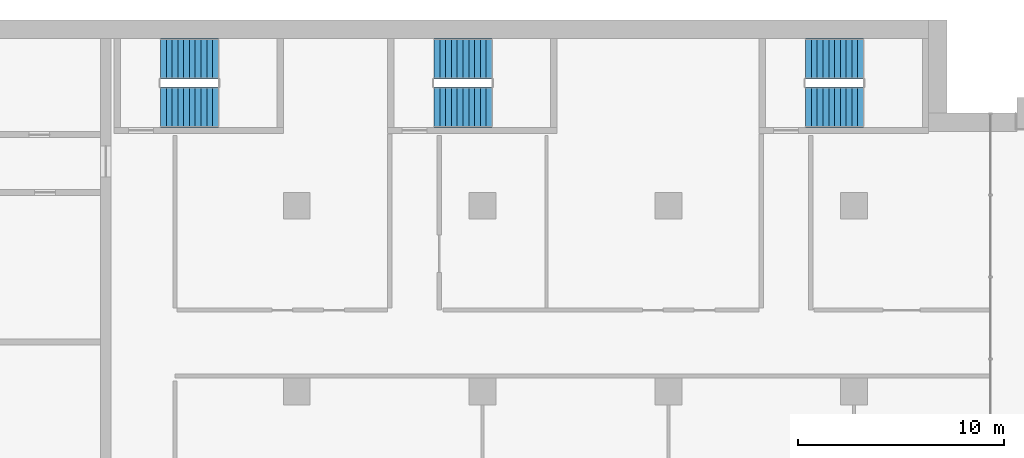
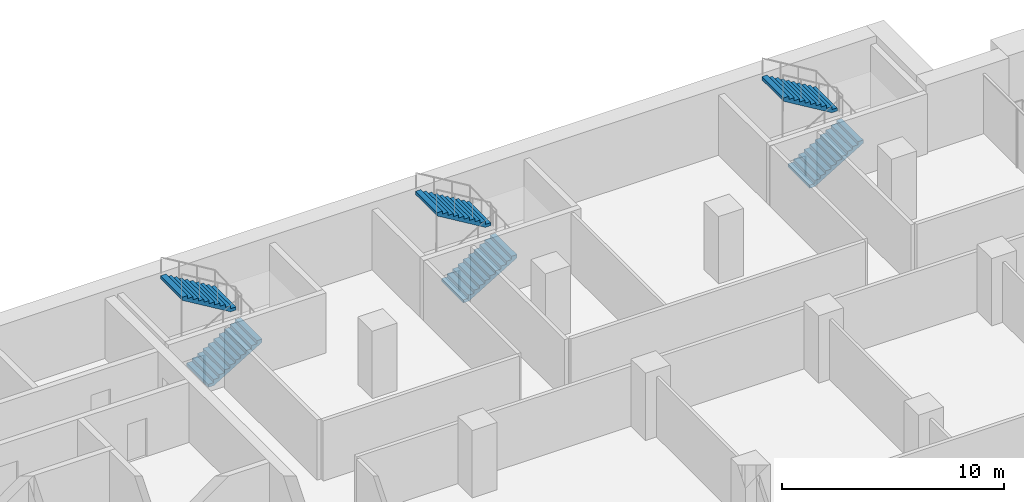
# One storey, part 17 of 22: 6 stair flights, 3 elements without a shape of their own.
"""IFC4 building model written with IfcOpenShell, lengths in metres."""

from ifc_helpers import new_model, si_unit, direction, frame, origin, place, context, subcontext, project, spatial, polyline, outline, extrude, material, type_object, element, aggregate, save


model = new_model("IFC4")

# Units and contexts
model_context = context("Model", 3, precision=1e-05, world=origin(), true_north=direction((0.0, 1.0)))
body_context = subcontext(model_context, "Body", "Model", "MODEL_VIEW")
ifc_project = project(units=[si_unit("LENGTHUNIT", "METRE"), si_unit("AREAUNIT", "SQUARE_METRE"), si_unit("VOLUMEUNIT", "CUBIC_METRE"), si_unit("PLANEANGLEUNIT", "RADIAN"), si_unit("MASSUNIT", "GRAM", prefix="KILO")], contexts=[model_context])

# Site, building, storey
site_placement = place(None, origin())
site = spatial("IfcSite", under=ifc_project, at=site_placement, CompositionType="ELEMENT")
building_placement = place(site_placement, origin())
building = spatial("IfcBuilding", under=site, at=building_placement, Name="Hunhe Ridgeline Campus", CompositionType="ELEMENT")
storey_placement = place(building_placement, frame((0.0, 0.0, 114.39990234375)))
storey = spatial("IfcBuildingStorey", under=building, at=storey_placement, Name="L28", CompositionType="ELEMENT", Elevation=114.39990234375)

# Stair, stair flights
ifc_material = material(Name="Concrete C40", Category="concrete")
stair_type = type_object("IfcStairType", Name="Reinforced concrete dog-leg stair 1950 Concrete C40", PredefinedType="HALF_TURN_STAIR", material=ifc_material)
stair_1_placement = place(storey_placement, origin())
stair_1 = element("IfcStair", 1, at=stair_1_placement, inside=storey, type_object=stair_type, Name="L28 E1", PredefinedType="HALF_TURN_STAIR")
stair_flight_type = type_object("IfcStairFlightType", Name="Reinforced concrete stair flight 1950 Concrete C40", PredefinedType="STRAIGHT", material=ifc_material)
stair_flight_1_placement = place(storey_placement, frame((38.39990234375, 94.77490234375, 0.0), z_axis=(0.0, 0.0, 1.0), x_axis=(1.0, 0.0, 0.0)))
stair_flight_1 = element("IfcStairFlight", 2, at=stair_flight_1_placement, type_object=stair_flight_type, Name="ST5 flight 1", NumberOfRisers=11, NumberOfTreads=10, PredefinedType="STRAIGHT", RiserHeight=0.168181818, TreadLength=0.28, context=body_context, shape_type="SweptSolid", body=[
    extrude(outline(polyline([(0.0, 0.0), (0.0, 0.168212890625), (0.280029296875, 0.168212890625), (0.280029296875, 0.33642578125), (0.56005859375, 0.33642578125), (0.56005859375, 0.504638671875), (0.840087890625, 0.504638671875), (0.840087890625, 0.672607421875), (1.1201171875, 0.672607421875), (1.1201171875, 0.8408203125), (1.39990234375, 0.8408203125), (1.39990234375, 1.009033203125), (1.679931640625, 1.009033203125), (1.679931640625, 1.17724609375), (1.9599609375, 1.17724609375), (1.9599609375, 1.345458984375), (2.239990234375, 1.345458984375), (2.239990234375, 1.513671875), (2.52001953125, 1.513671875), (2.52001953125, 1.681884765625), (2.800048828125, 1.681884765625), (2.800048828125, 1.85009765625), (2.800048828125, 1.5068359375), (0.291015625, 0.0), (0.0, 0.0)])), frame((0.0, 0.97509765625, 0.0), z_axis=(0.0, -1.0, 0.0), x_axis=(1.0, 0.0, 0.0)), (0.0, 0.0, 1.0), 1.949951171875),
    extrude(outline(polyline([(0.030029296875, 0.030029296875), (0.030029296875, 0.13818359375), (0.31005859375, 0.13818359375), (0.31005859375, 0.306396484375), (0.590087890625, 0.306396484375), (0.590087890625, 0.474609375), (0.8701171875, 0.474609375), (0.8701171875, 0.642578125), (1.14990234375, 0.642578125), (1.14990234375, 0.810791015625), (1.429931640625, 0.810791015625), (1.429931640625, 0.97900390625), (1.7099609375, 0.97900390625), (1.7099609375, 1.147216796875), (1.989990234375, 1.147216796875), (1.989990234375, 1.3154296875), (2.27001953125, 1.3154296875), (2.27001953125, 1.483642578125), (2.550048828125, 1.483642578125), (2.550048828125, 1.65185546875), (2.77001953125, 1.65185546875), (2.77001953125, 1.52392578125), (0.28271484375, 0.030029296875), (0.030029296875, 0.030029296875)])), frame((0.0, -0.070068359375, 0.0), z_axis=(0.0, -1.0, 0.0), x_axis=(1.0, 0.0, 0.0)), (0.0, 0.0, 1.0), 0.019775390625),
    extrude(outline(polyline([(0.030029296875, 0.030029296875), (0.030029296875, 0.13818359375), (0.31005859375, 0.13818359375), (0.31005859375, 0.306396484375), (0.590087890625, 0.306396484375), (0.590087890625, 0.474609375), (0.8701171875, 0.474609375), (0.8701171875, 0.642578125), (1.14990234375, 0.642578125), (1.14990234375, 0.810791015625), (1.429931640625, 0.810791015625), (1.429931640625, 0.97900390625), (1.7099609375, 0.97900390625), (1.7099609375, 1.147216796875), (1.989990234375, 1.147216796875), (1.989990234375, 1.3154296875), (2.27001953125, 1.3154296875), (2.27001953125, 1.483642578125), (2.550048828125, 1.483642578125), (2.550048828125, 1.65185546875), (2.77001953125, 1.65185546875), (2.77001953125, 1.52392578125), (0.28271484375, 0.030029296875), (0.030029296875, 0.030029296875)])), frame((0.0, 0.010009765625, 0.0), z_axis=(0.0, -1.0, 0.0), x_axis=(1.0, 0.0, 0.0)), (0.0, 0.0, 1.0), 0.019775390625),
    extrude(outline(polyline([(0.030029296875, 0.030029296875), (0.030029296875, 0.13818359375), (0.31005859375, 0.13818359375), (0.31005859375, 0.306396484375), (0.590087890625, 0.306396484375), (0.590087890625, 0.474609375), (0.8701171875, 0.474609375), (0.8701171875, 0.642578125), (1.14990234375, 0.642578125), (1.14990234375, 0.810791015625), (1.429931640625, 0.810791015625), (1.429931640625, 0.97900390625), (1.7099609375, 0.97900390625), (1.7099609375, 1.147216796875), (1.989990234375, 1.147216796875), (1.989990234375, 1.3154296875), (2.27001953125, 1.3154296875), (2.27001953125, 1.483642578125), (2.550048828125, 1.483642578125), (2.550048828125, 1.65185546875), (2.77001953125, 1.65185546875), (2.77001953125, 1.52392578125), (0.28271484375, 0.030029296875), (0.030029296875, 0.030029296875)])), frame((0.0, 0.090087890625, 0.0), z_axis=(0.0, -1.0, 0.0), x_axis=(1.0, 0.0, 0.0)), (0.0, 0.0, 1.0), 0.019775390625),
])
stair_flight_2_placement = place(storey_placement, frame((41.199951171875, 97.125, 1.85009765625), z_axis=(0.0, 0.0, 1.0), x_axis=(-1.0, 0.0, 0.0)))
stair_flight_2 = element("IfcStairFlight", 3, at=stair_flight_2_placement, type_object=stair_flight_type, Name="ST5 flight 2", NumberOfRisers=11, NumberOfTreads=10, PredefinedType="STRAIGHT", RiserHeight=0.168181818, TreadLength=0.28, context=body_context, shape_type="SweptSolid", body=[
    extrude(outline(polyline([(0.0, 0.0), (0.0, 0.168212890625), (0.280029296875, 0.168212890625), (0.280029296875, 0.33642578125), (0.56005859375, 0.33642578125), (0.56005859375, 0.504638671875), (0.840087890625, 0.504638671875), (0.840087890625, 0.672607421875), (1.1201171875, 0.672607421875), (1.1201171875, 0.8408203125), (1.39990234375, 0.8408203125), (1.39990234375, 1.009033203125), (1.679931640625, 1.009033203125), (1.679931640625, 1.17724609375), (1.9599609375, 1.17724609375), (1.9599609375, 1.345458984375), (2.239990234375, 1.345458984375), (2.239990234375, 1.513671875), (2.52001953125, 1.513671875), (2.52001953125, 1.681884765625), (2.800048828125, 1.681884765625), (2.800048828125, 1.85009765625), (2.800048828125, 1.5068359375), (0.291015625, 0.0), (0.0, 0.0)])), frame((0.0, 0.97509765625, 0.0), z_axis=(0.0, -1.0, 0.0), x_axis=(1.0, 0.0, 0.0)), (0.0, 0.0, 1.0), 1.949951171875),
    extrude(outline(polyline([(0.030029296875, 0.030029296875), (0.030029296875, 0.13818359375), (0.31005859375, 0.13818359375), (0.31005859375, 0.306396484375), (0.590087890625, 0.306396484375), (0.590087890625, 0.474609375), (0.8701171875, 0.474609375), (0.8701171875, 0.642578125), (1.14990234375, 0.642578125), (1.14990234375, 0.810791015625), (1.429931640625, 0.810791015625), (1.429931640625, 0.97900390625), (1.7099609375, 0.97900390625), (1.7099609375, 1.147216796875), (1.989990234375, 1.147216796875), (1.989990234375, 1.3154296875), (2.27001953125, 1.3154296875), (2.27001953125, 1.483642578125), (2.550048828125, 1.483642578125), (2.550048828125, 1.65185546875), (2.77001953125, 1.65185546875), (2.77001953125, 1.52392578125), (0.28271484375, 0.030029296875), (0.030029296875, 0.030029296875)])), frame((0.0, -0.070068359375, 0.0), z_axis=(0.0, -1.0, 0.0), x_axis=(1.0, 0.0, 0.0)), (0.0, 0.0, 1.0), 0.019775390625),
    extrude(outline(polyline([(0.030029296875, 0.030029296875), (0.030029296875, 0.13818359375), (0.31005859375, 0.13818359375), (0.31005859375, 0.306396484375), (0.590087890625, 0.306396484375), (0.590087890625, 0.474609375), (0.8701171875, 0.474609375), (0.8701171875, 0.642578125), (1.14990234375, 0.642578125), (1.14990234375, 0.810791015625), (1.429931640625, 0.810791015625), (1.429931640625, 0.97900390625), (1.7099609375, 0.97900390625), (1.7099609375, 1.147216796875), (1.989990234375, 1.147216796875), (1.989990234375, 1.3154296875), (2.27001953125, 1.3154296875), (2.27001953125, 1.483642578125), (2.550048828125, 1.483642578125), (2.550048828125, 1.65185546875), (2.77001953125, 1.65185546875), (2.77001953125, 1.52392578125), (0.28271484375, 0.030029296875), (0.030029296875, 0.030029296875)])), frame((0.0, 0.010009765625, 0.0), z_axis=(0.0, -1.0, 0.0), x_axis=(1.0, 0.0, 0.0)), (0.0, 0.0, 1.0), 0.019775390625),
    extrude(outline(polyline([(0.030029296875, 0.030029296875), (0.030029296875, 0.13818359375), (0.31005859375, 0.13818359375), (0.31005859375, 0.306396484375), (0.590087890625, 0.306396484375), (0.590087890625, 0.474609375), (0.8701171875, 0.474609375), (0.8701171875, 0.642578125), (1.14990234375, 0.642578125), (1.14990234375, 0.810791015625), (1.429931640625, 0.810791015625), (1.429931640625, 0.97900390625), (1.7099609375, 0.97900390625), (1.7099609375, 1.147216796875), (1.989990234375, 1.147216796875), (1.989990234375, 1.3154296875), (2.27001953125, 1.3154296875), (2.27001953125, 1.483642578125), (2.550048828125, 1.483642578125), (2.550048828125, 1.65185546875), (2.77001953125, 1.65185546875), (2.77001953125, 1.52392578125), (0.28271484375, 0.030029296875), (0.030029296875, 0.030029296875)])), frame((0.0, 0.090087890625, 0.0), z_axis=(0.0, -1.0, 0.0), x_axis=(1.0, 0.0, 0.0)), (0.0, 0.0, 1.0), 0.019775390625),
])
aggregate(stair_1, [stair_flight_1, stair_flight_2])

stair_2_placement = place(storey_placement, origin())
stair_2 = element("IfcStair", 4, at=stair_2_placement, inside=storey, type_object=stair_type, Name="L28 E2", PredefinedType="HALF_TURN_STAIR")
stair_flight_3_placement = place(storey_placement, frame((51.64990234375, 94.77490234375, 0.0), z_axis=(0.0, 0.0, 1.0), x_axis=(1.0, 0.0, 0.0)))
stair_flight_3 = element("IfcStairFlight", 5, at=stair_flight_3_placement, type_object=stair_flight_type, Name="ST6 flight 1", NumberOfRisers=11, NumberOfTreads=10, PredefinedType="STRAIGHT", RiserHeight=0.168181818, TreadLength=0.28, context=body_context, shape_type="SweptSolid", body=[
    extrude(outline(polyline([(0.0, 0.0), (0.0, 0.168212890625), (0.280029296875, 0.168212890625), (0.280029296875, 0.33642578125), (0.56005859375, 0.33642578125), (0.56005859375, 0.504638671875), (0.840087890625, 0.504638671875), (0.840087890625, 0.672607421875), (1.1201171875, 0.672607421875), (1.1201171875, 0.8408203125), (1.39990234375, 0.8408203125), (1.39990234375, 1.009033203125), (1.679931640625, 1.009033203125), (1.679931640625, 1.17724609375), (1.9599609375, 1.17724609375), (1.9599609375, 1.345458984375), (2.239990234375, 1.345458984375), (2.239990234375, 1.513671875), (2.52001953125, 1.513671875), (2.52001953125, 1.681884765625), (2.800048828125, 1.681884765625), (2.800048828125, 1.85009765625), (2.800048828125, 1.5068359375), (0.291015625, 0.0), (0.0, 0.0)])), frame((0.0, 0.97509765625, 0.0), z_axis=(0.0, -1.0, 0.0), x_axis=(1.0, 0.0, 0.0)), (0.0, 0.0, 1.0), 1.949951171875),
    extrude(outline(polyline([(0.030029296875, 0.030029296875), (0.030029296875, 0.13818359375), (0.31005859375, 0.13818359375), (0.31005859375, 0.306396484375), (0.590087890625, 0.306396484375), (0.590087890625, 0.474609375), (0.8701171875, 0.474609375), (0.8701171875, 0.642578125), (1.14990234375, 0.642578125), (1.14990234375, 0.810791015625), (1.429931640625, 0.810791015625), (1.429931640625, 0.97900390625), (1.7099609375, 0.97900390625), (1.7099609375, 1.147216796875), (1.989990234375, 1.147216796875), (1.989990234375, 1.3154296875), (2.27001953125, 1.3154296875), (2.27001953125, 1.483642578125), (2.550048828125, 1.483642578125), (2.550048828125, 1.65185546875), (2.77001953125, 1.65185546875), (2.77001953125, 1.52392578125), (0.28271484375, 0.030029296875), (0.030029296875, 0.030029296875)])), frame((0.0, -0.070068359375, 0.0), z_axis=(0.0, -1.0, 0.0), x_axis=(1.0, 0.0, 0.0)), (0.0, 0.0, 1.0), 0.019775390625),
    extrude(outline(polyline([(0.030029296875, 0.030029296875), (0.030029296875, 0.13818359375), (0.31005859375, 0.13818359375), (0.31005859375, 0.306396484375), (0.590087890625, 0.306396484375), (0.590087890625, 0.474609375), (0.8701171875, 0.474609375), (0.8701171875, 0.642578125), (1.14990234375, 0.642578125), (1.14990234375, 0.810791015625), (1.429931640625, 0.810791015625), (1.429931640625, 0.97900390625), (1.7099609375, 0.97900390625), (1.7099609375, 1.147216796875), (1.989990234375, 1.147216796875), (1.989990234375, 1.3154296875), (2.27001953125, 1.3154296875), (2.27001953125, 1.483642578125), (2.550048828125, 1.483642578125), (2.550048828125, 1.65185546875), (2.77001953125, 1.65185546875), (2.77001953125, 1.52392578125), (0.28271484375, 0.030029296875), (0.030029296875, 0.030029296875)])), frame((0.0, 0.010009765625, 0.0), z_axis=(0.0, -1.0, 0.0), x_axis=(1.0, 0.0, 0.0)), (0.0, 0.0, 1.0), 0.019775390625),
    extrude(outline(polyline([(0.030029296875, 0.030029296875), (0.030029296875, 0.13818359375), (0.31005859375, 0.13818359375), (0.31005859375, 0.306396484375), (0.590087890625, 0.306396484375), (0.590087890625, 0.474609375), (0.8701171875, 0.474609375), (0.8701171875, 0.642578125), (1.14990234375, 0.642578125), (1.14990234375, 0.810791015625), (1.429931640625, 0.810791015625), (1.429931640625, 0.97900390625), (1.7099609375, 0.97900390625), (1.7099609375, 1.147216796875), (1.989990234375, 1.147216796875), (1.989990234375, 1.3154296875), (2.27001953125, 1.3154296875), (2.27001953125, 1.483642578125), (2.550048828125, 1.483642578125), (2.550048828125, 1.65185546875), (2.77001953125, 1.65185546875), (2.77001953125, 1.52392578125), (0.28271484375, 0.030029296875), (0.030029296875, 0.030029296875)])), frame((0.0, 0.090087890625, 0.0), z_axis=(0.0, -1.0, 0.0), x_axis=(1.0, 0.0, 0.0)), (0.0, 0.0, 1.0), 0.019775390625),
])
stair_flight_4_placement = place(storey_placement, frame((54.449951171875, 97.125, 1.85009765625), z_axis=(0.0, 0.0, 1.0), x_axis=(-1.0, 0.0, 0.0)))
stair_flight_4 = element("IfcStairFlight", 6, at=stair_flight_4_placement, type_object=stair_flight_type, Name="ST6 flight 2", NumberOfRisers=11, NumberOfTreads=10, PredefinedType="STRAIGHT", RiserHeight=0.168181818, TreadLength=0.28, context=body_context, shape_type="SweptSolid", body=[
    extrude(outline(polyline([(0.0, 0.0), (0.0, 0.168212890625), (0.280029296875, 0.168212890625), (0.280029296875, 0.33642578125), (0.56005859375, 0.33642578125), (0.56005859375, 0.504638671875), (0.840087890625, 0.504638671875), (0.840087890625, 0.672607421875), (1.1201171875, 0.672607421875), (1.1201171875, 0.8408203125), (1.39990234375, 0.8408203125), (1.39990234375, 1.009033203125), (1.679931640625, 1.009033203125), (1.679931640625, 1.17724609375), (1.9599609375, 1.17724609375), (1.9599609375, 1.345458984375), (2.239990234375, 1.345458984375), (2.239990234375, 1.513671875), (2.52001953125, 1.513671875), (2.52001953125, 1.681884765625), (2.800048828125, 1.681884765625), (2.800048828125, 1.85009765625), (2.800048828125, 1.5068359375), (0.291015625, 0.0), (0.0, 0.0)])), frame((0.0, 0.97509765625, 0.0), z_axis=(0.0, -1.0, 0.0), x_axis=(1.0, 0.0, 0.0)), (0.0, 0.0, 1.0), 1.949951171875),
    extrude(outline(polyline([(0.030029296875, 0.030029296875), (0.030029296875, 0.13818359375), (0.31005859375, 0.13818359375), (0.31005859375, 0.306396484375), (0.590087890625, 0.306396484375), (0.590087890625, 0.474609375), (0.8701171875, 0.474609375), (0.8701171875, 0.642578125), (1.14990234375, 0.642578125), (1.14990234375, 0.810791015625), (1.429931640625, 0.810791015625), (1.429931640625, 0.97900390625), (1.7099609375, 0.97900390625), (1.7099609375, 1.147216796875), (1.989990234375, 1.147216796875), (1.989990234375, 1.3154296875), (2.27001953125, 1.3154296875), (2.27001953125, 1.483642578125), (2.550048828125, 1.483642578125), (2.550048828125, 1.65185546875), (2.77001953125, 1.65185546875), (2.77001953125, 1.52392578125), (0.28271484375, 0.030029296875), (0.030029296875, 0.030029296875)])), frame((0.0, -0.070068359375, 0.0), z_axis=(0.0, -1.0, 0.0), x_axis=(1.0, 0.0, 0.0)), (0.0, 0.0, 1.0), 0.019775390625),
    extrude(outline(polyline([(0.030029296875, 0.030029296875), (0.030029296875, 0.13818359375), (0.31005859375, 0.13818359375), (0.31005859375, 0.306396484375), (0.590087890625, 0.306396484375), (0.590087890625, 0.474609375), (0.8701171875, 0.474609375), (0.8701171875, 0.642578125), (1.14990234375, 0.642578125), (1.14990234375, 0.810791015625), (1.429931640625, 0.810791015625), (1.429931640625, 0.97900390625), (1.7099609375, 0.97900390625), (1.7099609375, 1.147216796875), (1.989990234375, 1.147216796875), (1.989990234375, 1.3154296875), (2.27001953125, 1.3154296875), (2.27001953125, 1.483642578125), (2.550048828125, 1.483642578125), (2.550048828125, 1.65185546875), (2.77001953125, 1.65185546875), (2.77001953125, 1.52392578125), (0.28271484375, 0.030029296875), (0.030029296875, 0.030029296875)])), frame((0.0, 0.010009765625, 0.0), z_axis=(0.0, -1.0, 0.0), x_axis=(1.0, 0.0, 0.0)), (0.0, 0.0, 1.0), 0.019775390625),
    extrude(outline(polyline([(0.030029296875, 0.030029296875), (0.030029296875, 0.13818359375), (0.31005859375, 0.13818359375), (0.31005859375, 0.306396484375), (0.590087890625, 0.306396484375), (0.590087890625, 0.474609375), (0.8701171875, 0.474609375), (0.8701171875, 0.642578125), (1.14990234375, 0.642578125), (1.14990234375, 0.810791015625), (1.429931640625, 0.810791015625), (1.429931640625, 0.97900390625), (1.7099609375, 0.97900390625), (1.7099609375, 1.147216796875), (1.989990234375, 1.147216796875), (1.989990234375, 1.3154296875), (2.27001953125, 1.3154296875), (2.27001953125, 1.483642578125), (2.550048828125, 1.483642578125), (2.550048828125, 1.65185546875), (2.77001953125, 1.65185546875), (2.77001953125, 1.52392578125), (0.28271484375, 0.030029296875), (0.030029296875, 0.030029296875)])), frame((0.0, 0.090087890625, 0.0), z_axis=(0.0, -1.0, 0.0), x_axis=(1.0, 0.0, 0.0)), (0.0, 0.0, 1.0), 0.019775390625),
])
aggregate(stair_2, [stair_flight_3, stair_flight_4])

stair_3_placement = place(storey_placement, origin())
stair_3 = element("IfcStair", 7, at=stair_3_placement, inside=storey, type_object=stair_type, Name="L28 E3", PredefinedType="HALF_TURN_STAIR")
stair_flight_5_placement = place(storey_placement, frame((69.64990234375, 94.77490234375, 0.0), z_axis=(0.0, 0.0, 1.0), x_axis=(1.0, 0.0, 0.0)))
stair_flight_5 = element("IfcStairFlight", 8, at=stair_flight_5_placement, type_object=stair_flight_type, Name="ST7 flight 1", NumberOfRisers=11, NumberOfTreads=10, PredefinedType="STRAIGHT", RiserHeight=0.168181818, TreadLength=0.28, context=body_context, shape_type="SweptSolid", body=[
    extrude(outline(polyline([(0.0, 0.0), (0.0, 0.168212890625), (0.280029296875, 0.168212890625), (0.280029296875, 0.33642578125), (0.56005859375, 0.33642578125), (0.56005859375, 0.504638671875), (0.840087890625, 0.504638671875), (0.840087890625, 0.672607421875), (1.1201171875, 0.672607421875), (1.1201171875, 0.8408203125), (1.39990234375, 0.8408203125), (1.39990234375, 1.009033203125), (1.679931640625, 1.009033203125), (1.679931640625, 1.17724609375), (1.9599609375, 1.17724609375), (1.9599609375, 1.345458984375), (2.239990234375, 1.345458984375), (2.239990234375, 1.513671875), (2.52001953125, 1.513671875), (2.52001953125, 1.681884765625), (2.800048828125, 1.681884765625), (2.800048828125, 1.85009765625), (2.800048828125, 1.5068359375), (0.291015625, 0.0), (0.0, 0.0)])), frame((0.0, 0.97509765625, 0.0), z_axis=(0.0, -1.0, 0.0), x_axis=(1.0, 0.0, 0.0)), (0.0, 0.0, 1.0), 1.949951171875),
    extrude(outline(polyline([(0.030029296875, 0.030029296875), (0.030029296875, 0.13818359375), (0.31005859375, 0.13818359375), (0.31005859375, 0.306396484375), (0.590087890625, 0.306396484375), (0.590087890625, 0.474609375), (0.8701171875, 0.474609375), (0.8701171875, 0.642578125), (1.14990234375, 0.642578125), (1.14990234375, 0.810791015625), (1.429931640625, 0.810791015625), (1.429931640625, 0.97900390625), (1.7099609375, 0.97900390625), (1.7099609375, 1.147216796875), (1.989990234375, 1.147216796875), (1.989990234375, 1.3154296875), (2.27001953125, 1.3154296875), (2.27001953125, 1.483642578125), (2.550048828125, 1.483642578125), (2.550048828125, 1.65185546875), (2.77001953125, 1.65185546875), (2.77001953125, 1.52392578125), (0.28271484375, 0.030029296875), (0.030029296875, 0.030029296875)])), frame((0.0, -0.070068359375, 0.0), z_axis=(0.0, -1.0, 0.0), x_axis=(1.0, 0.0, 0.0)), (0.0, 0.0, 1.0), 0.019775390625),
    extrude(outline(polyline([(0.030029296875, 0.030029296875), (0.030029296875, 0.13818359375), (0.31005859375, 0.13818359375), (0.31005859375, 0.306396484375), (0.590087890625, 0.306396484375), (0.590087890625, 0.474609375), (0.8701171875, 0.474609375), (0.8701171875, 0.642578125), (1.14990234375, 0.642578125), (1.14990234375, 0.810791015625), (1.429931640625, 0.810791015625), (1.429931640625, 0.97900390625), (1.7099609375, 0.97900390625), (1.7099609375, 1.147216796875), (1.989990234375, 1.147216796875), (1.989990234375, 1.3154296875), (2.27001953125, 1.3154296875), (2.27001953125, 1.483642578125), (2.550048828125, 1.483642578125), (2.550048828125, 1.65185546875), (2.77001953125, 1.65185546875), (2.77001953125, 1.52392578125), (0.28271484375, 0.030029296875), (0.030029296875, 0.030029296875)])), frame((0.0, 0.010009765625, 0.0), z_axis=(0.0, -1.0, 0.0), x_axis=(1.0, 0.0, 0.0)), (0.0, 0.0, 1.0), 0.019775390625),
    extrude(outline(polyline([(0.030029296875, 0.030029296875), (0.030029296875, 0.13818359375), (0.31005859375, 0.13818359375), (0.31005859375, 0.306396484375), (0.590087890625, 0.306396484375), (0.590087890625, 0.474609375), (0.8701171875, 0.474609375), (0.8701171875, 0.642578125), (1.14990234375, 0.642578125), (1.14990234375, 0.810791015625), (1.429931640625, 0.810791015625), (1.429931640625, 0.97900390625), (1.7099609375, 0.97900390625), (1.7099609375, 1.147216796875), (1.989990234375, 1.147216796875), (1.989990234375, 1.3154296875), (2.27001953125, 1.3154296875), (2.27001953125, 1.483642578125), (2.550048828125, 1.483642578125), (2.550048828125, 1.65185546875), (2.77001953125, 1.65185546875), (2.77001953125, 1.52392578125), (0.28271484375, 0.030029296875), (0.030029296875, 0.030029296875)])), frame((0.0, 0.090087890625, 0.0), z_axis=(0.0, -1.0, 0.0), x_axis=(1.0, 0.0, 0.0)), (0.0, 0.0, 1.0), 0.019775390625),
])
stair_flight_6_placement = place(storey_placement, frame((72.449951171875, 97.125, 1.85009765625), z_axis=(0.0, 0.0, 1.0), x_axis=(-1.0, 0.0, 0.0)))
stair_flight_6 = element("IfcStairFlight", 9, at=stair_flight_6_placement, type_object=stair_flight_type, Name="ST7 flight 2", NumberOfRisers=11, NumberOfTreads=10, PredefinedType="STRAIGHT", RiserHeight=0.168181818, TreadLength=0.28, context=body_context, shape_type="SweptSolid", body=[
    extrude(outline(polyline([(0.0, 0.0), (0.0, 0.168212890625), (0.280029296875, 0.168212890625), (0.280029296875, 0.33642578125), (0.56005859375, 0.33642578125), (0.56005859375, 0.504638671875), (0.840087890625, 0.504638671875), (0.840087890625, 0.672607421875), (1.1201171875, 0.672607421875), (1.1201171875, 0.8408203125), (1.39990234375, 0.8408203125), (1.39990234375, 1.009033203125), (1.679931640625, 1.009033203125), (1.679931640625, 1.17724609375), (1.9599609375, 1.17724609375), (1.9599609375, 1.345458984375), (2.239990234375, 1.345458984375), (2.239990234375, 1.513671875), (2.52001953125, 1.513671875), (2.52001953125, 1.681884765625), (2.800048828125, 1.681884765625), (2.800048828125, 1.85009765625), (2.800048828125, 1.5068359375), (0.291015625, 0.0), (0.0, 0.0)])), frame((0.0, 0.97509765625, 0.0), z_axis=(0.0, -1.0, 0.0), x_axis=(1.0, 0.0, 0.0)), (0.0, 0.0, 1.0), 1.949951171875),
    extrude(outline(polyline([(0.030029296875, 0.030029296875), (0.030029296875, 0.13818359375), (0.31005859375, 0.13818359375), (0.31005859375, 0.306396484375), (0.590087890625, 0.306396484375), (0.590087890625, 0.474609375), (0.8701171875, 0.474609375), (0.8701171875, 0.642578125), (1.14990234375, 0.642578125), (1.14990234375, 0.810791015625), (1.429931640625, 0.810791015625), (1.429931640625, 0.97900390625), (1.7099609375, 0.97900390625), (1.7099609375, 1.147216796875), (1.989990234375, 1.147216796875), (1.989990234375, 1.3154296875), (2.27001953125, 1.3154296875), (2.27001953125, 1.483642578125), (2.550048828125, 1.483642578125), (2.550048828125, 1.65185546875), (2.77001953125, 1.65185546875), (2.77001953125, 1.52392578125), (0.28271484375, 0.030029296875), (0.030029296875, 0.030029296875)])), frame((0.0, -0.070068359375, 0.0), z_axis=(0.0, -1.0, 0.0), x_axis=(1.0, 0.0, 0.0)), (0.0, 0.0, 1.0), 0.019775390625),
    extrude(outline(polyline([(0.030029296875, 0.030029296875), (0.030029296875, 0.13818359375), (0.31005859375, 0.13818359375), (0.31005859375, 0.306396484375), (0.590087890625, 0.306396484375), (0.590087890625, 0.474609375), (0.8701171875, 0.474609375), (0.8701171875, 0.642578125), (1.14990234375, 0.642578125), (1.14990234375, 0.810791015625), (1.429931640625, 0.810791015625), (1.429931640625, 0.97900390625), (1.7099609375, 0.97900390625), (1.7099609375, 1.147216796875), (1.989990234375, 1.147216796875), (1.989990234375, 1.3154296875), (2.27001953125, 1.3154296875), (2.27001953125, 1.483642578125), (2.550048828125, 1.483642578125), (2.550048828125, 1.65185546875), (2.77001953125, 1.65185546875), (2.77001953125, 1.52392578125), (0.28271484375, 0.030029296875), (0.030029296875, 0.030029296875)])), frame((0.0, 0.010009765625, 0.0), z_axis=(0.0, -1.0, 0.0), x_axis=(1.0, 0.0, 0.0)), (0.0, 0.0, 1.0), 0.019775390625),
    extrude(outline(polyline([(0.030029296875, 0.030029296875), (0.030029296875, 0.13818359375), (0.31005859375, 0.13818359375), (0.31005859375, 0.306396484375), (0.590087890625, 0.306396484375), (0.590087890625, 0.474609375), (0.8701171875, 0.474609375), (0.8701171875, 0.642578125), (1.14990234375, 0.642578125), (1.14990234375, 0.810791015625), (1.429931640625, 0.810791015625), (1.429931640625, 0.97900390625), (1.7099609375, 0.97900390625), (1.7099609375, 1.147216796875), (1.989990234375, 1.147216796875), (1.989990234375, 1.3154296875), (2.27001953125, 1.3154296875), (2.27001953125, 1.483642578125), (2.550048828125, 1.483642578125), (2.550048828125, 1.65185546875), (2.77001953125, 1.65185546875), (2.77001953125, 1.52392578125), (0.28271484375, 0.030029296875), (0.030029296875, 0.030029296875)])), frame((0.0, 0.090087890625, 0.0), z_axis=(0.0, -1.0, 0.0), x_axis=(1.0, 0.0, 0.0)), (0.0, 0.0, 1.0), 0.019775390625),
])
aggregate(stair_3, [stair_flight_5, stair_flight_6])

save(model, "model.ifc")
